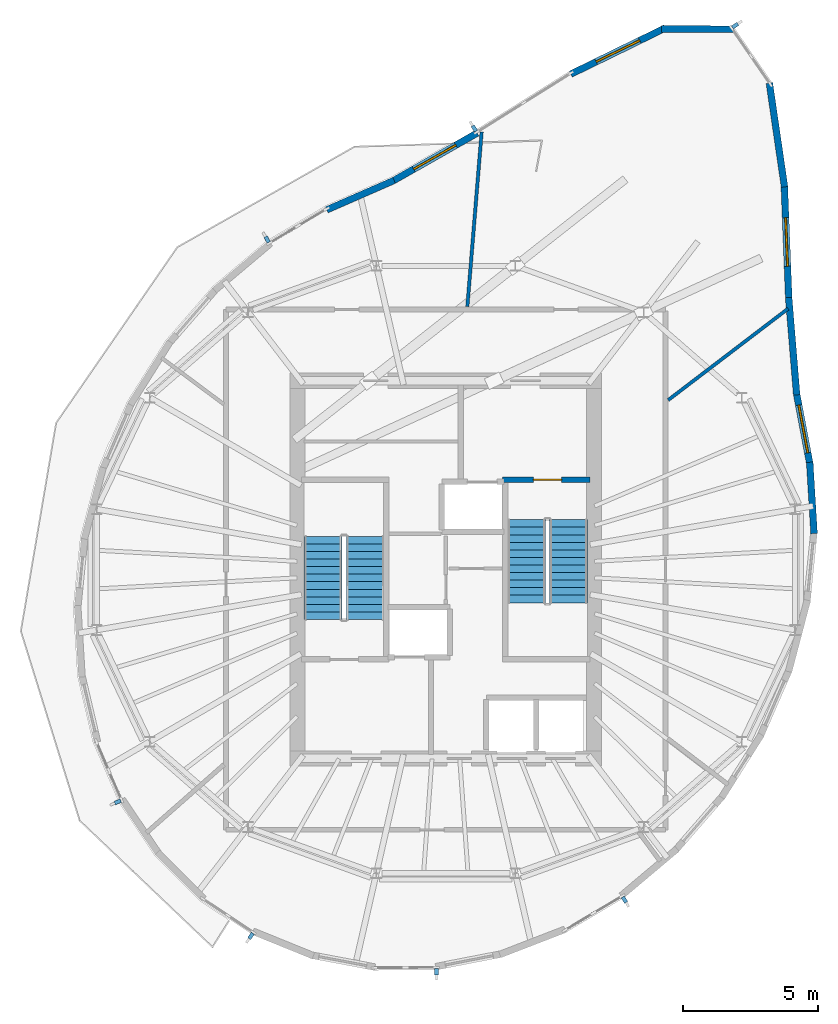
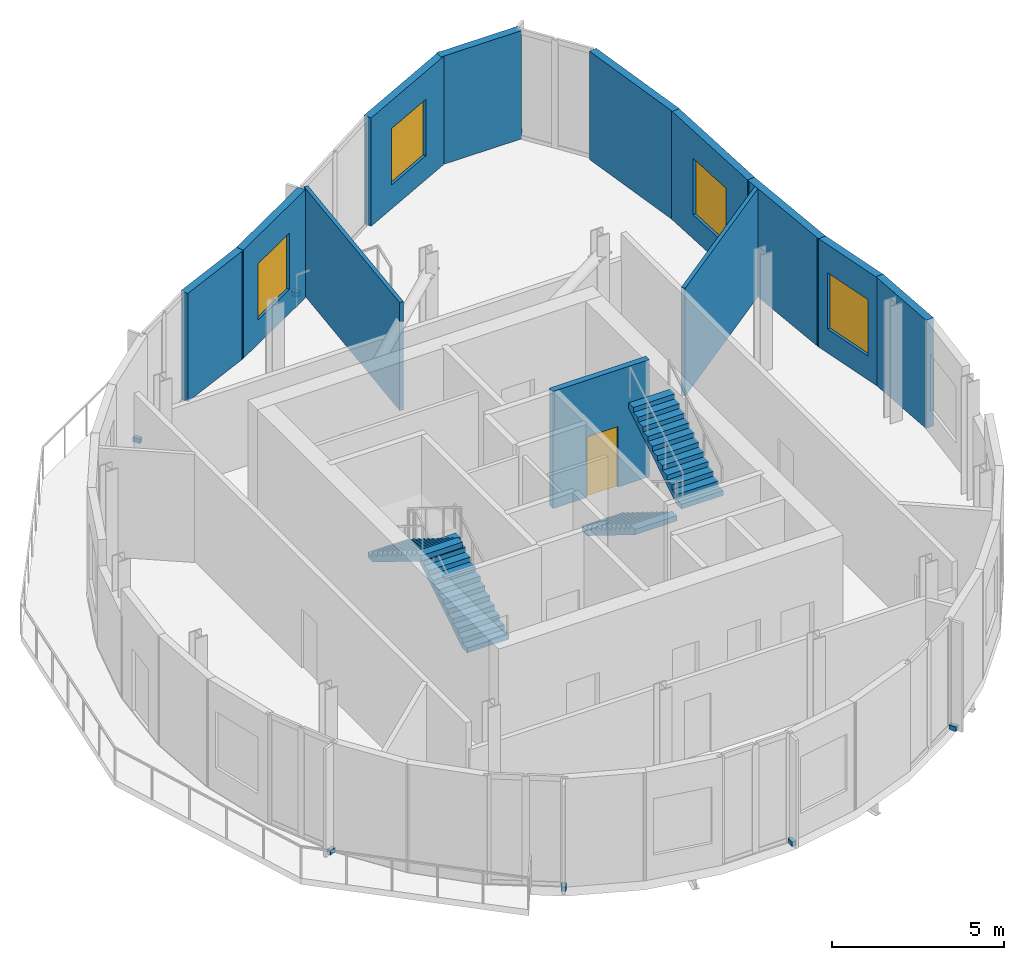
# One storey, part 6 of 8: 12 walls, 7 discrete accessories, 4 stair flights, 4 windows, 1 door, 5 openings, 2 elements without a shape of their own.
"""IFC4 building model written with IfcOpenShell, lengths in metres."""

from ifc_helpers import new_model, si_unit, direction, frame, frame_2d, origin, origin_2d, place, context, subcontext, project, spatial, polyline, rectangle, outline, extrude, material, layer, layer_set, type_object, element, fill, aggregate, save


model = new_model("IFC4")

# Units and contexts
model_context = context("Model", 3, precision=1e-05, world=origin(), true_north=direction((0.0, 1.0)))
body_context = subcontext(model_context, "Body", "Model", "MODEL_VIEW")
ifc_project = project(units=[si_unit("LENGTHUNIT", "METRE"), si_unit("AREAUNIT", "SQUARE_METRE"), si_unit("VOLUMEUNIT", "CUBIC_METRE"), si_unit("PLANEANGLEUNIT", "RADIAN"), si_unit("MASSUNIT", "GRAM", prefix="KILO")], contexts=[model_context])

# Site, building, storey
site_placement = place(None, origin())
site = spatial("IfcSite", under=ifc_project, at=site_placement, CompositionType="ELEMENT")
building_placement = place(site_placement, origin())
building = spatial("IfcBuilding", under=site, at=building_placement, Name="Veldorim Arch Residences", CompositionType="ELEMENT")
storey_placement = place(building_placement, frame((0.0, 0.0, 246.8798828125)))
storey = spatial("IfcBuildingStorey", under=building, at=storey_placement, Name="L74", CompositionType="ELEMENT", Elevation=246.8798828125)

# Walls
ifc_material_1 = material(Name="Acoustic Gypsum Board", Category="gypsum")
ifc_layer_1 = layer(ifc_material_1, 0.125, Name="Acoustic Stud Room Partition Wall 125")
ifc_layer_set_1 = layer_set([ifc_layer_1], Name="Acoustic Gypsum Board")
wall_type_1 = type_object("IfcWallType", Name="Acoustic Stud Room Partition Wall 125", PredefinedType="PARTITIONING", material=ifc_layer_set_1)
wall_1_placement = place(storey_placement, frame((32.798095703125, 33.749755859375, 0.0), z_axis=(0.0, 0.0, 1.0), x_axis=(0.081618619875, 0.996663634778, 0.0)))
element("IfcWall", 1, at=wall_1_placement, inside=storey, type_object=wall_type_1, Name="L74 interior wall WL-SKY-L74-005", PredefinedType="PARTITIONING", context=body_context, shape_type="SweptSolid", body=[
    extrude(rectangle(XDim=6.5, YDim=0.125, at=frame_2d((3.25, 0.0))), origin(), (0.0, 0.0, 1.0), 3.835205078125),
])
wall_2_placement = place(storey_placement, frame((44.69189453125, 33.67578125, 0.0), z_axis=(0.0, 0.0, 1.0), x_axis=(-0.795254273131, -0.606276043619, 0.0)))
element("IfcWall", 2, at=wall_2_placement, inside=storey, type_object=wall_type_1, Name="L74 interior wall WL-SKY-L74-006", PredefinedType="PARTITIONING", context=body_context, shape_type="SweptSolid", body=[
    extrude(rectangle(XDim=5.59130859375, YDim=0.125, at=frame_2d((2.795654296875, 0.0))), origin(), (0.0, 0.0, 1.0), 3.835205078125),
])

# Wall, opening, door
ifc_material_2 = material(Name="Concrete C50/60", Category="concrete")
ifc_layer_2 = layer(ifc_material_2, 0.199951171875, Name="Core Stair & Lift Shaft Enclosure Wall 200")
ifc_layer_set_2 = layer_set([ifc_layer_2], Name="Concrete C50/60")
wall_type_2 = type_object("IfcWallType", Name="Core Stair & Lift Shaft Enclosure Wall 200", PredefinedType="SHEAR", material=ifc_layer_set_2)
wall_3_placement = place(storey_placement, frame((34.110107421875, 27.330078125, 0.0), z_axis=(0.0, 0.0, 1.0), x_axis=(1.0, 0.0, 0.0)))
wall_3 = element("IfcWall", 3, at=wall_3_placement, inside=storey, type_object=wall_type_2, Name="L74 shaft wall WL-SHF-L74-ST2-N", PredefinedType="SHEAR", context=body_context, shape_type="SweptSolid", body=[
    extrude(rectangle(XDim=3.239990234375, YDim=0.199951171875, at=frame_2d((1.6201171875, 0.0))), origin(), (0.0, 0.0, 1.0), 4.16015625),
])
opening_1_placement = place(wall_3_placement, frame((1.135009765625, 0.0, 0.0)))
opening_1 = element("IfcOpeningElement", 4, at=opening_1_placement, cuts=wall_3, Name="Opening DR-ST", PredefinedType="OPENING", context=body_context, shape_type="SweptSolid", body=[
    extrude(rectangle(XDim=1.050048828125, YDim=2.14990234375, at=frame_2d((0.52490234375, 1.074951171875))), frame((0.0, 0.10986328125, 0.0), z_axis=(0.0, -1.0, 0.0), x_axis=(1.0, 0.0, 0.0)), (0.0, 0.0, 1.0), 0.219970703125),
])
ifc_material_3 = material(Name="Fire-Rated Steel", Category="steel")
door_type = type_object("IfcDoorType", Name="Exit Staircase Self-Closing Fire Door 1050x2150", OperationType="SINGLE_SWING_LEFT", PredefinedType="DOOR", material=ifc_material_3)
door_placement = place(opening_1_placement, origin())
door = element("IfcDoor", 5, at=door_placement, inside=storey, type_object=door_type, Name="L74 interior door DR-L74-ST2", OperationType="SINGLE_SWING_RIGHT", OverallHeight=2.14990234375, OverallWidth=1.050048828125, PredefinedType="DOOR", context=body_context, shape_type="SweptSolid", body=[
    extrude(rectangle(XDim=1.050048828125, YDim=2.14990234375, at=frame_2d((0.52490234375, 1.074951171875))), frame((0.0, 0.02490234375, 0.0), z_axis=(0.0, -1.0, 0.0), x_axis=(1.0, 0.0, 0.0)), (0.0, 0.0, 1.0), 0.050048828125),
])
fill(opening_1, door)

# Wall
ifc_material_4 = material(Name="Precast concrete C40/50", Category="concrete")
ifc_layer_3 = layer(ifc_material_4, 0.25, Name="Tower Terracotta Spandrel & Pier Wall 250")
ifc_layer_set_3 = layer_set([ifc_layer_3], Name="Precast concrete C40/50")
wall_type_3 = type_object("IfcWallType", Name="Tower Terracotta Spandrel & Pier Wall 250", PredefinedType="SOLIDWALL", material=ifc_layer_set_3)
wall_4_placement = place(storey_placement, frame((39.99267578125, 44.048095703125, 0.0), z_axis=(0.0, 0.0, 1.0), x_axis=(0.999989775814, -0.004521976014, 0.0)))
element("IfcWall", 6, at=wall_4_placement, inside=storey, type_object=wall_type_3, Name="L74 terracotta facade wall 01", PredefinedType="SOLIDWALL", context=body_context, shape_type="SweptSolid", body=[
    extrude(rectangle(XDim=2.699462890625, YDim=0.25, at=frame_2d((1.349609375, 0.0))), origin(), (0.0, 0.0, 1.0), 3.840087890625),
])

# Wall, opening, window
wall_5_placement = place(storey_placement, frame((36.63525390625, 42.37255859375, 0.0), z_axis=(0.0, 0.0, 1.0), x_axis=(0.89863881812, 0.438689268808, 0.0)))
wall_5 = element("IfcWall", 7, at=wall_5_placement, inside=storey, type_object=wall_type_3, Name="L74 terracotta facade wall 02", PredefinedType="SOLIDWALL", context=body_context, shape_type="SweptSolid", body=[
    extrude(rectangle(XDim=3.892822265625, YDim=0.25, at=frame_2d((1.9462890625, 0.0))), origin(), (0.0, 0.0, 1.0), 3.840087890625),
])
opening_2_placement = place(wall_5_placement, frame((1.0458984375, 0.0, 0.85009765625)))
opening_2 = element("IfcOpeningElement", 8, at=opening_2_placement, cuts=wall_5, Name="Opening WN-04", PredefinedType="OPENING", context=body_context, shape_type="SweptSolid", body=[
    extrude(rectangle(XDim=1.800048828125, YDim=2.0, at=frame_2d((0.89990234375, 1.0))), frame((0.0, 0.135009765625, 0.0), z_axis=(0.0, -1.0, 0.0), x_axis=(1.0, 0.0, 0.0)), (0.0, 0.0, 1.0), 0.27001953125),
])
ifc_material_5 = material(Name="Laminated Low-E Glass", Category="glass")
window_type = type_object("IfcWindowType", Name="Sky Lounge Tall Picture Window 1800x1370", PartitioningType="SINGLE_PANEL", PredefinedType="WINDOW", material=ifc_material_5)
window_1_placement = place(opening_2_placement, origin())
window_1 = element("IfcWindow", 9, at=window_1_placement, inside=storey, type_object=window_type, Name="L74 solar-control facade window 02", OverallHeight=2.0, OverallWidth=1.800048828125, PartitioningType="SINGLE_PANEL", PredefinedType="WINDOW", context=body_context, shape_type="SweptSolid", body=[
    extrude(rectangle(XDim=1.800048828125, YDim=2.0, at=frame_2d((0.89990234375, 1.0))), frame((0.0, 0.030029296875, 0.0), z_axis=(0.0, -1.0, 0.0), x_axis=(1.0, 0.0, 0.0)), (0.0, 0.0, 1.0), 0.06005859375),
])
fill(opening_2, window_1)

wall_6_placement = place(storey_placement, frame((30.012939453125, 38.397705078125, 0.0), z_axis=(0.0, 0.0, 1.0), x_axis=(0.869529546149, 0.493880925298, 0.0)))
wall_6 = element("IfcWall", 10, at=wall_6_placement, inside=storey, type_object=wall_type_3, Name="L74 terracotta facade wall 04", PredefinedType="SOLIDWALL", context=body_context, shape_type="SweptSolid", body=[
    extrude(rectangle(XDim=3.6240234375, YDim=0.25, at=frame_2d((1.81201171875, 0.0))), origin(), (0.0, 0.0, 1.0), 3.840087890625),
])
opening_3_placement = place(wall_6_placement, frame((0.912109375, 0.0, 0.85009765625)))
opening_3 = element("IfcOpeningElement", 11, at=opening_3_placement, cuts=wall_6, Name="Opening WN-04", PredefinedType="OPENING", context=body_context, shape_type="SweptSolid", body=[
    extrude(rectangle(XDim=1.800048828125, YDim=2.0, at=frame_2d((0.89990234375, 1.0))), frame((0.0, 0.135009765625, 0.0), z_axis=(0.0, -1.0, 0.0), x_axis=(1.0, 0.0, 0.0)), (0.0, 0.0, 1.0), 0.27001953125),
])
window_2_placement = place(opening_3_placement, origin())
window_2 = element("IfcWindow", 12, at=window_2_placement, inside=storey, type_object=window_type, Name="L74 solar-control facade window 04", OverallHeight=2.0, OverallWidth=1.800048828125, PartitioningType="SINGLE_PANEL", PredefinedType="WINDOW", context=body_context, shape_type="SweptSolid", body=[
    extrude(rectangle(XDim=1.800048828125, YDim=2.0, at=frame_2d((0.89990234375, 1.0))), frame((0.0, 0.030029296875, 0.0), z_axis=(0.0, -1.0, 0.0), x_axis=(1.0, 0.0, 0.0)), (0.0, 0.0, 1.0), 0.06005859375),
])
fill(opening_3, window_2)

# Walls
wall_7_placement = place(storey_placement, frame((27.5849609375, 37.34033203125, 0.0), z_axis=(0.0, 0.0, 1.0), x_axis=(0.916233396171, 0.400644934749, 0.0)))
element("IfcWall", 13, at=wall_7_placement, inside=storey, type_object=wall_type_3, Name="L74 terracotta facade wall 05", PredefinedType="SOLIDWALL", context=body_context, shape_type="SweptSolid", body=[
    extrude(rectangle(XDim=2.72509765625, YDim=0.25, at=frame_2d((1.362548828125, 0.0))), origin(), (0.0, 0.0, 1.0), 3.840087890625),
])
wall_8_placement = place(storey_placement, frame((45.493896484375, 27.979736328125, 0.0), z_axis=(0.0, 0.0, 1.0), x_axis=(0.060967752852, -0.998139736266, 0.0)))
element("IfcWall", 14, at=wall_8_placement, inside=storey, type_object=wall_type_3, Name="L74 terracotta facade wall 31", PredefinedType="SOLIDWALL", context=body_context, shape_type="SweptSolid", body=[
    extrude(rectangle(XDim=2.65087890625, YDim=0.25, at=frame_2d((1.325439453125, 0.0))), origin(), (0.0, 0.0, 1.0), 3.840087890625),
])

# Wall, opening, window
wall_9_placement = place(storey_placement, frame((45.001220703125, 30.552734375, 0.0), z_axis=(0.0, 0.0, 1.0), x_axis=(0.185629842264, -0.982619744184, 0.0)))
wall_9 = element("IfcWall", 15, at=wall_9_placement, inside=storey, type_object=wall_type_3, Name="L74 terracotta facade wall 32", PredefinedType="SOLIDWALL", context=body_context, shape_type="SweptSolid", body=[
    extrude(rectangle(XDim=2.72509765625, YDim=0.25, at=frame_2d((1.362548828125, 0.0))), origin(), (0.0, 0.0, 1.0), 3.840087890625),
])
opening_4_placement = place(wall_9_placement, frame((0.462890625, 0.0, 0.85009765625)))
opening_4 = element("IfcOpeningElement", 16, at=opening_4_placement, cuts=wall_9, Name="Opening WN-04", PredefinedType="OPENING", context=body_context, shape_type="SweptSolid", body=[
    extrude(rectangle(XDim=1.800048828125, YDim=2.0, at=frame_2d((0.89990234375, 1.0))), frame((0.0, 0.135009765625, 0.0), z_axis=(0.0, -1.0, 0.0), x_axis=(1.0, 0.0, 0.0)), (0.0, 0.0, 1.0), 0.27001953125),
])
window_3_placement = place(opening_4_placement, origin())
window_3 = element("IfcWindow", 17, at=window_3_placement, inside=storey, type_object=window_type, Name="L74 solar-control facade window 32", OverallHeight=2.0, OverallWidth=1.800048828125, PartitioningType="SINGLE_PANEL", PredefinedType="WINDOW", context=body_context, shape_type="SweptSolid", body=[
    extrude(rectangle(XDim=1.800048828125, YDim=2.0, at=frame_2d((0.89990234375, 1.0))), frame((0.0, 0.030029296875, 0.0), z_axis=(0.0, -1.0, 0.0), x_axis=(1.0, 0.0, 0.0)), (0.0, 0.0, 1.0), 0.06005859375),
])
fill(opening_4, window_3)

# Wall
wall_10_placement = place(storey_placement, frame((44.713134765625, 34.088134765625, 0.0), z_axis=(0.0, 0.0, 1.0), x_axis=(0.082331752524, -0.996604978177, 0.0)))
element("IfcWall", 18, at=wall_10_placement, inside=storey, type_object=wall_type_3, Name="L74 terracotta facade wall 33", PredefinedType="SOLIDWALL", context=body_context, shape_type="SweptSolid", body=[
    extrude(rectangle(XDim=3.62353515625, YDim=0.25, at=frame_2d((1.811767578125, 0.0))), origin(), (0.0, 0.0, 1.0), 3.840087890625),
])

# Wall, opening, window
wall_11_placement = place(storey_placement, frame((44.551025390625, 38.289794921875, 0.0), z_axis=(0.0, 0.0, 1.0), x_axis=(0.038990550377, -0.999239579371, 0.0)))
wall_11 = element("IfcWall", 19, at=wall_11_placement, inside=storey, type_object=wall_type_3, Name="L74 terracotta facade wall 34", PredefinedType="SOLIDWALL", context=body_context, shape_type="SweptSolid", body=[
    extrude(rectangle(XDim=4.2890625, YDim=0.25, at=frame_2d((2.14453125, 0.0))), origin(), (0.0, 0.0, 1.0), 3.840087890625),
])
opening_5_placement = place(wall_11_placement, frame((1.2451171875, 0.0, 0.85009765625)))
opening_5 = element("IfcOpeningElement", 20, at=opening_5_placement, cuts=wall_11, Name="Opening WN-04", PredefinedType="OPENING", context=body_context, shape_type="SweptSolid", body=[
    extrude(rectangle(XDim=1.800048828125, YDim=2.0, at=frame_2d((0.89990234375, 1.0))), frame((0.0, 0.135009765625, 0.0), z_axis=(0.0, -1.0, 0.0), x_axis=(1.0, 0.0, 0.0)), (0.0, 0.0, 1.0), 0.27001953125),
])
window_4_placement = place(opening_5_placement, origin())
window_4 = element("IfcWindow", 21, at=window_4_placement, inside=storey, type_object=window_type, Name="L74 solar-control facade window 34", OverallHeight=2.0, OverallWidth=1.800048828125, PartitioningType="SINGLE_PANEL", PredefinedType="WINDOW", context=body_context, shape_type="SweptSolid", body=[
    extrude(rectangle(XDim=1.800048828125, YDim=2.0, at=frame_2d((0.89990234375, 1.0))), frame((0.0, 0.030029296875, 0.0), z_axis=(0.0, -1.0, 0.0), x_axis=(1.0, 0.0, 0.0)), (0.0, 0.0, 1.0), 0.06005859375),
])
fill(opening_5, window_4)

# Wall
wall_12_placement = place(storey_placement, frame((43.99853515625, 42.0390625, 0.0), z_axis=(0.0, 0.0, 1.0), x_axis=(0.144370860883, -0.989523650312, 0.0)))
element("IfcWall", 22, at=wall_12_placement, inside=storey, type_object=wall_type_3, Name="L74 terracotta facade wall 35", PredefinedType="SOLIDWALL", context=body_context, shape_type="SweptSolid", body=[
    extrude(rectangle(XDim=3.892822265625, YDim=0.25, at=frame_2d((1.9462890625, 0.0))), origin(), (0.0, 0.0, 1.0), 3.840087890625),
])

# Stair, stair flights
ifc_material_6 = material(Name="Concrete C40/50", Category="concrete")
stair_type = type_object("IfcStairType", Name="Reinforced Concrete Dogleg Exit Staircase", PredefinedType="HALF_TURN_STAIR", material=ifc_material_6)
stair_1_placement = place(storey_placement, origin())
stair_1 = element("IfcStair", 23, at=stair_1_placement, inside=storey, type_object=stair_type, Name="L74 Exit Staircase ST-1", PredefinedType="HALF_TURN_STAIR")
ifc_material_7 = material(Name="Concrete C40/50", Category="concrete")
stair_flight_type = type_object("IfcStairFlightType", Name="Reinforced Concrete Stair Flight 1400", PredefinedType="STRAIGHT", material=ifc_material_7)
stair_flight_1_placement = place(storey_placement, frame((29.010009765625, 22.14990234375, 0.0), z_axis=(0.0, 0.0, 1.0), x_axis=(0.0, 1.0, 0.0)))
stair_flight_1 = element("IfcStairFlight", 24, at=stair_flight_1_placement, type_object=stair_flight_type, Name="ST-1 flight 1", NumberOfRisers=12, NumberOfTreads=11, PredefinedType="STRAIGHT", RiserHeight=0.173333333, TreadLength=0.28, context=body_context, shape_type="SweptSolid", body=[
    extrude(outline(polyline([(0.0, 0.0), (0.0, 0.17333984375), (0.280029296875, 0.17333984375), (0.280029296875, 0.3466796875), (0.56005859375, 0.3466796875), (0.56005859375, 0.52001953125), (0.840087890625, 0.52001953125), (0.840087890625, 0.693359375), (1.1201171875, 0.693359375), (1.1201171875, 0.86669921875), (1.39990234375, 0.86669921875), (1.39990234375, 1.0400390625), (1.679931640625, 1.0400390625), (1.679931640625, 1.21337890625), (1.9599609375, 1.21337890625), (1.9599609375, 1.38671875), (2.239990234375, 1.38671875), (2.239990234375, 1.56005859375), (2.52001953125, 1.56005859375), (2.52001953125, 1.7333984375), (2.800048828125, 1.7333984375), (2.800048828125, 1.90673828125), (3.080078125, 1.90673828125), (3.080078125, 2.080078125), (3.080078125, 1.718505859375), (0.3037109375, 0.0), (0.0, 0.0)])), frame((0.0, 0.699951171875, 0.0), z_axis=(0.0, -1.0, 0.0), x_axis=(1.0, 0.0, 0.0)), (0.0, 0.0, 1.0), 1.39990234375),
])
stair_flight_2_placement = place(storey_placement, frame((27.449951171875, 25.22998046875, 2.080078125), z_axis=(0.0, 0.0, 1.0), x_axis=(0.0, -1.0, 0.0)))
stair_flight_2 = element("IfcStairFlight", 25, at=stair_flight_2_placement, type_object=stair_flight_type, Name="ST-1 flight 2", NumberOfRisers=12, NumberOfTreads=11, PredefinedType="STRAIGHT", RiserHeight=0.173333333, TreadLength=0.28, context=body_context, shape_type="SweptSolid", body=[
    extrude(outline(polyline([(0.0, 0.0), (0.0, 0.17333984375), (0.280029296875, 0.17333984375), (0.280029296875, 0.3466796875), (0.56005859375, 0.3466796875), (0.56005859375, 0.52001953125), (0.840087890625, 0.52001953125), (0.840087890625, 0.693359375), (1.1201171875, 0.693359375), (1.1201171875, 0.86669921875), (1.39990234375, 0.86669921875), (1.39990234375, 1.0400390625), (1.679931640625, 1.0400390625), (1.679931640625, 1.21337890625), (1.9599609375, 1.21337890625), (1.9599609375, 1.38671875), (2.239990234375, 1.38671875), (2.239990234375, 1.56005859375), (2.52001953125, 1.56005859375), (2.52001953125, 1.7333984375), (2.800048828125, 1.7333984375), (2.800048828125, 1.90673828125), (3.080078125, 1.90673828125), (3.080078125, 2.080078125), (3.080078125, 1.718505859375), (0.3037109375, 0.0), (0.0, 0.0)])), frame((0.0, 0.699951171875, 0.0), z_axis=(0.0, -1.0, 0.0), x_axis=(1.0, 0.0, 0.0)), (0.0, 0.0, 1.0), 1.39990234375),
])
aggregate(stair_1, [stair_flight_1, stair_flight_2])

stair_2_placement = place(storey_placement, origin())
stair_2 = element("IfcStair", 26, at=stair_2_placement, inside=storey, type_object=stair_type, Name="L74 Exit Staircase ST-2", PredefinedType="HALF_TURN_STAIR")
stair_flight_3_placement = place(storey_placement, frame((34.989990234375, 25.85009765625, 0.0), z_axis=(0.0, 0.0, 1.0), x_axis=(0.0, -1.0, 0.0)))
stair_flight_3 = element("IfcStairFlight", 27, at=stair_flight_3_placement, type_object=stair_flight_type, Name="ST-2 flight 1", NumberOfRisers=12, NumberOfTreads=11, PredefinedType="STRAIGHT", RiserHeight=0.173333333, TreadLength=0.28, context=body_context, shape_type="SweptSolid", body=[
    extrude(outline(polyline([(0.0, 0.0), (0.0, 0.17333984375), (0.280029296875, 0.17333984375), (0.280029296875, 0.3466796875), (0.56005859375, 0.3466796875), (0.56005859375, 0.52001953125), (0.840087890625, 0.52001953125), (0.840087890625, 0.693359375), (1.1201171875, 0.693359375), (1.1201171875, 0.86669921875), (1.39990234375, 0.86669921875), (1.39990234375, 1.0400390625), (1.679931640625, 1.0400390625), (1.679931640625, 1.21337890625), (1.9599609375, 1.21337890625), (1.9599609375, 1.38671875), (2.239990234375, 1.38671875), (2.239990234375, 1.56005859375), (2.52001953125, 1.56005859375), (2.52001953125, 1.7333984375), (2.800048828125, 1.7333984375), (2.800048828125, 1.90673828125), (3.080078125, 1.90673828125), (3.080078125, 2.080078125), (3.080078125, 1.718505859375), (0.3037109375, 0.0), (0.0, 0.0)])), frame((0.0, 0.699951171875, 0.0), z_axis=(0.0, -1.0, 0.0), x_axis=(1.0, 0.0, 0.0)), (0.0, 0.0, 1.0), 1.39990234375),
])
stair_flight_4_placement = place(storey_placement, frame((36.550048828125, 22.77001953125, 2.080078125), z_axis=(0.0, 0.0, 1.0), x_axis=(0.0, 1.0, 0.0)))
stair_flight_4 = element("IfcStairFlight", 28, at=stair_flight_4_placement, type_object=stair_flight_type, Name="ST-2 flight 2", NumberOfRisers=12, NumberOfTreads=11, PredefinedType="STRAIGHT", RiserHeight=0.173333333, TreadLength=0.28, context=body_context, shape_type="SweptSolid", body=[
    extrude(outline(polyline([(0.0, 0.0), (0.0, 0.17333984375), (0.280029296875, 0.17333984375), (0.280029296875, 0.3466796875), (0.56005859375, 0.3466796875), (0.56005859375, 0.52001953125), (0.840087890625, 0.52001953125), (0.840087890625, 0.693359375), (1.1201171875, 0.693359375), (1.1201171875, 0.86669921875), (1.39990234375, 0.86669921875), (1.39990234375, 1.0400390625), (1.679931640625, 1.0400390625), (1.679931640625, 1.21337890625), (1.9599609375, 1.21337890625), (1.9599609375, 1.38671875), (2.239990234375, 1.38671875), (2.239990234375, 1.56005859375), (2.52001953125, 1.56005859375), (2.52001953125, 1.7333984375), (2.800048828125, 1.7333984375), (2.800048828125, 1.90673828125), (3.080078125, 1.90673828125), (3.080078125, 2.080078125), (3.080078125, 1.718505859375), (0.3037109375, 0.0), (0.0, 0.0)])), frame((0.0, 0.699951171875, 0.0), z_axis=(0.0, -1.0, 0.0), x_axis=(1.0, 0.0, 0.0)), (0.0, 0.0, 1.0), 1.39990234375),
])
aggregate(stair_2, [stair_flight_3, stair_flight_4])

# Discrete accessories
ifc_material_8 = material(Name="Stainless Steel", Category="steel")
discrete_accessory_type = type_object("IfcDiscreteAccessoryType", Name="Stainless Steel Facade Fin Anchor Bracket", PredefinedType="BRACKET", material=ifc_material_8)
for number, where, z_axis, x_axis, name in (
    (29, (33.059814453125, 40.3544921875, -0.02001953125), (0.0, 0.0, 1.0), (0.847214655028, 0.531250720758, 0.0), "L74 stainless fin anchor bracket 03"),
    (30, (25.37548828125, 36.2412109375, -0.02001953125), (0.0, 0.0, 1.0), (0.858691674181, 0.512492545011, 0.0), "L74 stainless fin anchor bracket 06"),
    (31, (19.834716796875, 15.387451171875, -0.02001953125), (0.0, 0.0, 1.0), (-0.395705795671, 0.918377331641, 0.0), "L74 stainless fin anchor bracket 15"),
    (32, (24.7734375, 10.4169921875, -0.02001953125), (0.0, 0.0, 1.0), (-0.833017813069, 0.553246168635, 0.0), "L74 stainless fin anchor bracket 18"),
    (33, (31.653564453125, 9.087646484375, -0.02001953125), (0.0, 0.0, 1.0), (-0.99997914901, -0.006457673349, 0.0), "L74 stainless fin anchor bracket 21"),
    (34, (38.62451171875, 11.7587890625, -0.02001953125), (0.0, 0.0, 1.0), (-0.858691674181, -0.512492545011, 0.0), "L74 stainless fin anchor bracket 24"),
    (35, (42.72802734375, 44.167724609375, -0.02001953125), (0.0, 0.0, 1.0), (0.567556381667, -0.823334533242, 0.0), "L74 stainless fin anchor bracket 36"),
):
    element("IfcDiscreteAccessory", number, at=place(storey_placement, frame(where, z_axis=z_axis, x_axis=x_axis)), inside=storey, type_object=discrete_accessory_type, Name=name, PredefinedType="BRACKET", context=body_context, shape_type="SweptSolid", body=[
        extrude(rectangle(XDim=0.139892578125, YDim=0.239990234375, at=origin_2d()), origin(), (0.0, 0.0, 1.0), 0.159912109375),
    ])

save(model, "model.ifc")
